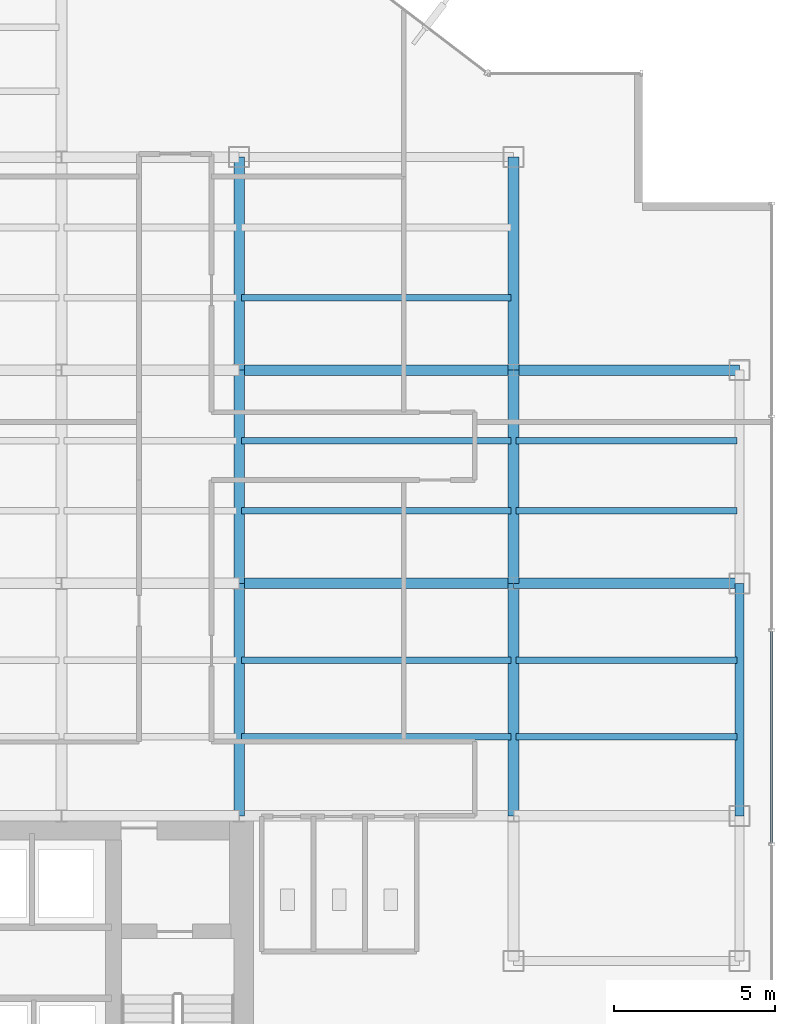
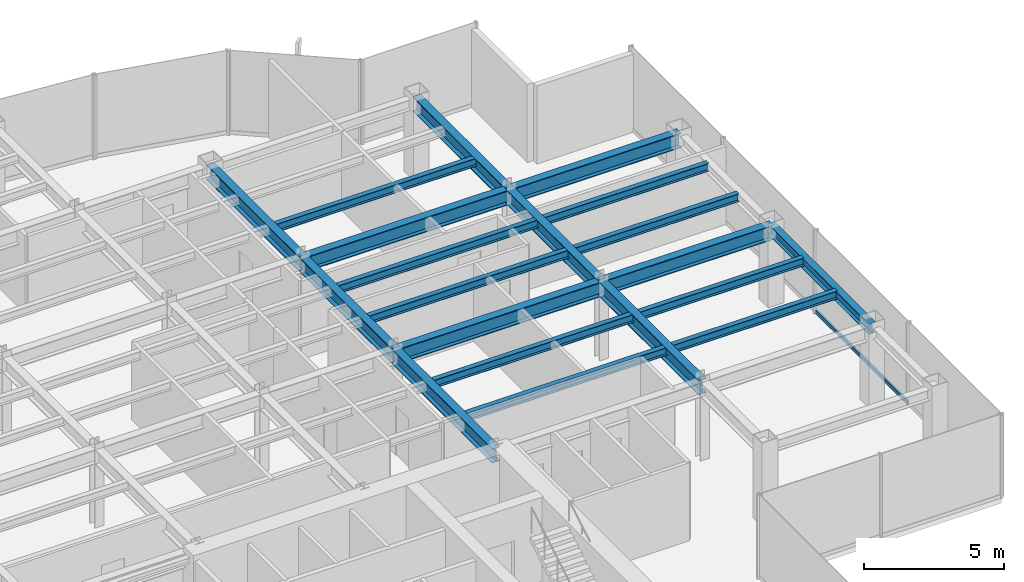
# One storey, part 12 of 25: 20 beams, 1 member, 1 element without a shape of its own.
"""IFC4 building model written with IfcOpenShell, lengths in metres."""

from ifc_helpers import new_model, si_unit, derived_unit, direction, frame, origin, origin_2d, place, context, subcontext, project, spatial, hollow_rectangle, i_section, extrude, source, transform, mapped, material, material_profile, profile_set, type_object, element, aggregate, save


model = new_model("IFC4")

# Units and contexts
model_context = context("Model", 3, precision=1e-05, world=origin(), true_north=direction((0.0, 1.0)))
body_context = subcontext(model_context, "Body", "Model", "MODEL_VIEW")
ifc_project = project(units=[si_unit("LENGTHUNIT", "METRE"), si_unit("AREAUNIT", "SQUARE_METRE"), si_unit("VOLUMEUNIT", "CUBIC_METRE"), si_unit("PLANEANGLEUNIT", "RADIAN"), si_unit("MASSUNIT", "GRAM", prefix="KILO"), derived_unit("THERMALTRANSMITTANCEUNIT", [(si_unit("POWERUNIT", "WATT"), 1), (si_unit("LENGTHUNIT", "METRE"), -2), (si_unit("THERMODYNAMICTEMPERATUREUNIT", "KELVIN"), -1)])], contexts=[model_context])

# Site, building, storey
site_placement = place(None, origin())
site = spatial("IfcSite", under=ifc_project, at=site_placement, CompositionType="ELEMENT")
building_placement = place(site_placement, origin())
building = spatial("IfcBuilding", under=site, at=building_placement, Name="Skarnbrae Concourse Arena and Tower", CompositionType="ELEMENT")
storey_placement = place(building_placement, frame((0.0, 0.0, 151.550048828125)))
storey = spatial("IfcBuildingStorey", under=building, at=storey_placement, Name="L38", CompositionType="ELEMENT", Elevation=151.550048828125)

# Beams
ifc_material_1 = material(Name="Steel CSA G40.21 350W", Category="steel")
ifc_material_profile_1 = material_profile(ifc_material_1, i_section(OverallWidth=0.3291015625, OverallDepth=0.635009765625, WebThickness=0.017822265625, FlangeThickness=0.031005859375, at=origin_2d()), Name="W610X241")
ifc_profile_set_1 = profile_set([ifc_material_profile_1], Name="Steel CSA G40.21 350W")
beam_type_1 = type_object("IfcBeamType", Name="BM-GIRD-W610X241", PredefinedType="BEAM", material=ifc_profile_set_1)
shared_shape_1 = source(origin(), body_context, "Body", "SweptSolid", [
    extrude(i_section(OverallWidth=0.3291015625, OverallDepth=0.635009765625, WebThickness=0.017822265625, FlangeThickness=0.031005859375, at=origin_2d()), origin(), (0.0, 0.0, 1.0), 6.60009765625),
])
for number, where, z_axis, x_axis, name in (
    (1, (33.5, 21.199951171875, 3.08251953125), (0.0, 1.0, 0.0), (-1.0, 0.0, 0.0), "L38 Primary N-S girder X33.5-2"),
    (2, (42.0, 21.199951171875, 3.08251953125), (0.0, 1.0, 0.0), (-1.0, 0.0, 0.0), "L38 Primary N-S girder X42.0-3"),
):
    element("IfcBeam", number, at=place(storey_placement, frame(where, z_axis=z_axis, x_axis=x_axis)), inside=storey, type_object=beam_type_1, Name=name, PredefinedType="BEAM", context=body_context, shape_type="MappedRepresentation", body=[
        mapped(shared_shape_1, transform((0.0, 0.0, 0.0))),
    ])
shared_shape_2 = source(origin(), body_context, "Body", "SweptSolid", [
    extrude(i_section(OverallWidth=0.3291015625, OverallDepth=0.635009765625, WebThickness=0.017822265625, FlangeThickness=0.031005859375, at=origin_2d()), origin(), (0.0, 0.0, 1.0), 8.5),
])
for number, where, z_axis, x_axis, name in (
    (3, (33.5, 21.199951171875, 3.08251953125), (1.0, 0.0, 0.0), (0.0, 1.0, 0.0), "L38 Primary E-W girder Y21.2-6"),
    (4, (33.5, 27.800048828125, 3.08251953125), (1.0, 0.0, 0.0), (0.0, 1.0, 0.0), "L38 Primary E-W girder Y27.8-6"),
):
    element("IfcBeam", number, at=place(storey_placement, frame(where, z_axis=z_axis, x_axis=x_axis)), inside=storey, type_object=beam_type_1, Name=name, PredefinedType="BEAM", context=body_context, shape_type="MappedRepresentation", body=[
        mapped(shared_shape_2, transform((0.0, 0.0, 0.0))),
    ])
shared_shape_3 = source(origin(), body_context, "Body", "SweptSolid", [
    extrude(i_section(OverallWidth=0.3291015625, OverallDepth=0.635009765625, WebThickness=0.017822265625, FlangeThickness=0.031005859375, at=origin_2d()), origin(), (0.0, 0.0, 1.0), 7.0),
])
for number, where, z_axis, x_axis, name in (
    (5, (42.0, 21.199951171875, 3.08251953125), (1.0, 0.0, 0.0), (0.0, 1.0, 0.0), "L38 Primary E-W girder Y21.2-7"),
    (6, (42.0, 27.800048828125, 3.08251953125), (1.0, 0.0, 0.0), (0.0, 1.0, 0.0), "L38 Primary E-W girder Y27.8-7"),
):
    element("IfcBeam", number, at=place(storey_placement, frame(where, z_axis=z_axis, x_axis=x_axis)), inside=storey, type_object=beam_type_1, Name=name, PredefinedType="BEAM", context=body_context, shape_type="MappedRepresentation", body=[
        mapped(shared_shape_3, transform((0.0, 0.0, 0.0))),
    ])
ifc_material_profile_2 = material_profile(ifc_material_1, i_section(OverallWidth=0.280029296875, OverallDepth=0.462890625, WebThickness=0.0107421875, FlangeThickness=0.017333984375, at=origin_2d()), Name="W460X113")
ifc_profile_set_2 = profile_set([ifc_material_profile_2], Name="Steel CSA G40.21 350W")
beam_type_2 = type_object("IfcBeamType", Name="BM-SPAN-W460X113", PredefinedType="SPANDREL", material=ifc_profile_set_2)
shared_shape_4 = source(origin(), body_context, "Body", "SweptSolid", [
    extrude(i_section(OverallWidth=0.280029296875, OverallDepth=0.462890625, WebThickness=0.0107421875, FlangeThickness=0.017333984375, at=origin_2d()), origin(), (0.0, 0.0, 1.0), 7.199951171875),
])
beam_placement = place(storey_placement, frame((49.0, 14.0, 3.16845703125), z_axis=(0.0, 1.0, 0.0), x_axis=(-1.0, 0.0, 0.0)))
element("IfcBeam", 7, at=beam_placement, inside=storey, type_object=beam_type_2, Name="L38 Perimeter spandrel X49.0-2", PredefinedType="SPANDREL", context=body_context, shape_type="MappedRepresentation", body=[
    mapped(shared_shape_4, transform((0.0, 0.0, 0.0))),
])
shared_shape_5 = source(origin(), body_context, "Body", "SweptSolid", [
    extrude(i_section(OverallWidth=0.3291015625, OverallDepth=0.635009765625, WebThickness=0.017822265625, FlangeThickness=0.031005859375, at=origin_2d()), origin(), (0.0, 0.0, 1.0), 7.199951171875),
])
for number, where, z_axis, x_axis, name in (
    (8, (33.5, 14.0, 3.08251953125), (0.0, 1.0, 0.0), (-1.0, 0.0, 0.0), "L38 Primary N-S girder X33.5-1"),
    (9, (42.0, 14.0, 3.08251953125), (0.0, 1.0, 0.0), (-1.0, 0.0, 0.0), "L38 Primary N-S girder X42.0-2"),
):
    element("IfcBeam", number, at=place(storey_placement, frame(where, z_axis=z_axis, x_axis=x_axis)), inside=storey, type_object=beam_type_1, Name=name, PredefinedType="BEAM", context=body_context, shape_type="MappedRepresentation", body=[
        mapped(shared_shape_5, transform((0.0, 0.0, 0.0))),
    ])
shared_shape_6 = source(origin(), body_context, "Body", "SweptSolid", [
    extrude(i_section(OverallWidth=0.3291015625, OverallDepth=0.635009765625, WebThickness=0.017822265625, FlangeThickness=0.031005859375, at=origin_2d()), origin(), (0.0, 0.0, 1.0), 6.599853515625),
])
for number, where, z_axis, x_axis, name in (
    (10, (33.5, 27.800048828125, 3.08251953125), (0.0, 1.0, 0.0), (-1.0, 0.0, 0.0), "L38 Primary N-S girder X33.5-3"),
    (11, (42.0, 27.800048828125, 3.08251953125), (0.0, 1.0, 0.0), (-1.0, 0.0, 0.0), "L38 Primary N-S girder X42.0-4"),
):
    element("IfcBeam", number, at=place(storey_placement, frame(where, z_axis=z_axis, x_axis=x_axis)), inside=storey, type_object=beam_type_1, Name=name, PredefinedType="BEAM", context=body_context, shape_type="MappedRepresentation", body=[
        mapped(shared_shape_6, transform((0.0, 0.0, 0.0))),
    ])
ifc_material_profile_3 = material_profile(ifc_material_1, i_section(OverallWidth=0.205078125, OverallDepth=0.35400390625, WebThickness=0.009521484375, FlangeThickness=0.016845703125, at=origin_2d()), Name="W360X79")
ifc_profile_set_3 = profile_set([ifc_material_profile_3], Name="Steel CSA G40.21 350W")
beam_type_3 = type_object("IfcBeamType", Name="BM-JOIST-W360X79", PredefinedType="JOIST", material=ifc_profile_set_3)
shared_shape_7 = source(origin(), body_context, "Body", "SweptSolid", [
    extrude(i_section(OverallWidth=0.205078125, OverallDepth=0.35400390625, WebThickness=0.009521484375, FlangeThickness=0.016845703125, at=origin_2d()), origin(), (0.0, 0.0, 1.0), 8.33984375),
])
for number, where, z_axis, x_axis, name in (
    (12, (33.580078125, 16.447998046875, 3.222900390625), (1.0, 0.0, 0.0), (0.0, 1.0, 0.0), "L38 Secondary floor joist 1.1.6"),
    (13, (33.580078125, 18.823974609375, 3.222900390625), (1.0, 0.0, 0.0), (0.0, 1.0, 0.0), "L38 Secondary floor joist 1.2.6"),
    (14, (33.580078125, 23.444091796875, 3.222900390625), (1.0, 0.0, 0.0), (0.0, 1.0, 0.0), "L38 Secondary floor joist 2.1.6"),
    (15, (33.580078125, 25.6220703125, 3.222900390625), (1.0, 0.0, 0.0), (0.0, 1.0, 0.0), "L38 Secondary floor joist 2.2.6"),
    (16, (33.580078125, 30.0439453125, 3.222900390625), (1.0, 0.0, 0.0), (0.0, 1.0, 0.0), "L38 Secondary floor joist 3.1.5"),
):
    element("IfcBeam", number, at=place(storey_placement, frame(where, z_axis=z_axis, x_axis=x_axis)), inside=storey, type_object=beam_type_3, Name=name, PredefinedType="JOIST", context=body_context, shape_type="MappedRepresentation", body=[
        mapped(shared_shape_7, transform((0.0, 0.0, 0.0))),
    ])
shared_shape_8 = source(origin(), body_context, "Body", "SweptSolid", [
    extrude(i_section(OverallWidth=0.205078125, OverallDepth=0.35400390625, WebThickness=0.009521484375, FlangeThickness=0.016845703125, at=origin_2d()), origin(), (0.0, 0.0, 1.0), 6.83984375),
])
for number, where, z_axis, x_axis, name in (
    (17, (42.080078125, 16.447998046875, 3.222900390625), (1.0, 0.0, 0.0), (0.0, 1.0, 0.0), "L38 Secondary floor joist 1.1.7"),
    (18, (42.080078125, 18.823974609375, 3.222900390625), (1.0, 0.0, 0.0), (0.0, 1.0, 0.0), "L38 Secondary floor joist 1.2.7"),
    (19, (42.080078125, 23.444091796875, 3.222900390625), (1.0, 0.0, 0.0), (0.0, 1.0, 0.0), "L38 Secondary floor joist 2.1.7"),
    (20, (42.080078125, 25.6220703125, 3.222900390625), (1.0, 0.0, 0.0), (0.0, 1.0, 0.0), "L38 Secondary floor joist 2.2.7"),
):
    element("IfcBeam", number, at=place(storey_placement, frame(where, z_axis=z_axis, x_axis=x_axis)), inside=storey, type_object=beam_type_3, Name=name, PredefinedType="JOIST", context=body_context, shape_type="MappedRepresentation", body=[
        mapped(shared_shape_8, transform((0.0, 0.0, 0.0))),
    ])

# Curtain wall, member
ifc_material_2 = material(Name="Bronze anodised aluminium 6063-T6", Category="aluminium")
curtain_wall_type = type_object("IfcCurtainWallType", Name="CW-SYS-04-MIDZONE", PredefinedType="USERDEFINED", material=ifc_material_2)
curtain_wall_placement = place(storey_placement, origin())
curtain_wall = element("IfcCurtainWall", 21, at=curtain_wall_placement, inside=storey, type_object=curtain_wall_type, Name="L38 Unitised curtain wall CW-L38-E04", ObjectType="UNITISED CURTAIN WALL", PredefinedType="USERDEFINED")
ifc_material_profile_4 = material_profile(ifc_material_2, hollow_rectangle(XDim=0.074951171875, YDim=0.159912109375, WallThickness=0.00439453125, at=origin_2d()), Name="ALU-TRAN-75X160")
ifc_profile_set_4 = profile_set([ifc_material_profile_4], Name="Bronze anodised aluminium 6063-T6")
member_type = type_object("IfcMemberType", Name="CWT-CW-04", PredefinedType="USERDEFINED", material=ifc_profile_set_4)
shared_shape_9 = source(origin(), body_context, "Body", "SweptSolid", [
    extrude(hollow_rectangle(XDim=0.074951171875, YDim=0.159912109375, WallThickness=0.00439453125, at=origin_2d()), origin(), (0.0, 0.0, 1.0), 6.5498046875),
])
member_placement = place(storey_placement, frame((50.0, 13.16259765625, 0.079833984375), z_axis=(0.0, 1.0, 0.0), x_axis=(-1.0, 0.0, 0.0)))
member = element("IfcMember", 22, at=member_placement, type_object=member_type, Name="CW-L38-E04 Transom 2", ObjectType="TRANSOM", PredefinedType="USERDEFINED", context=body_context, shape_type="MappedRepresentation", body=[
    mapped(shared_shape_9, transform((0.0, 0.0, 0.0))),
])
aggregate(curtain_wall, [member])

save(model, "model.ifc")
